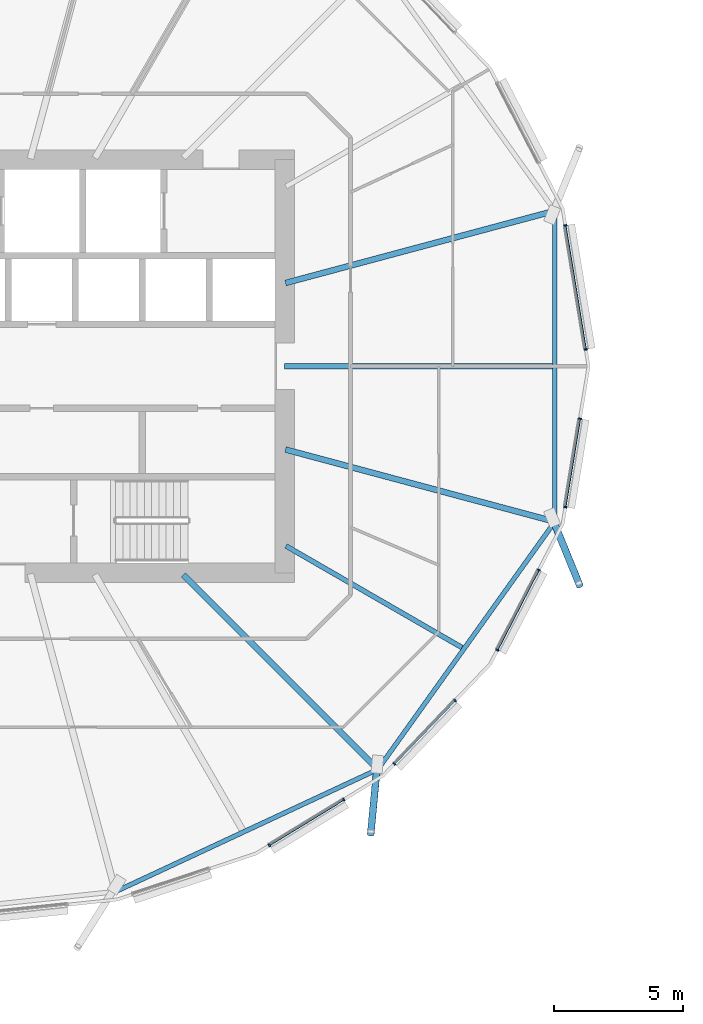
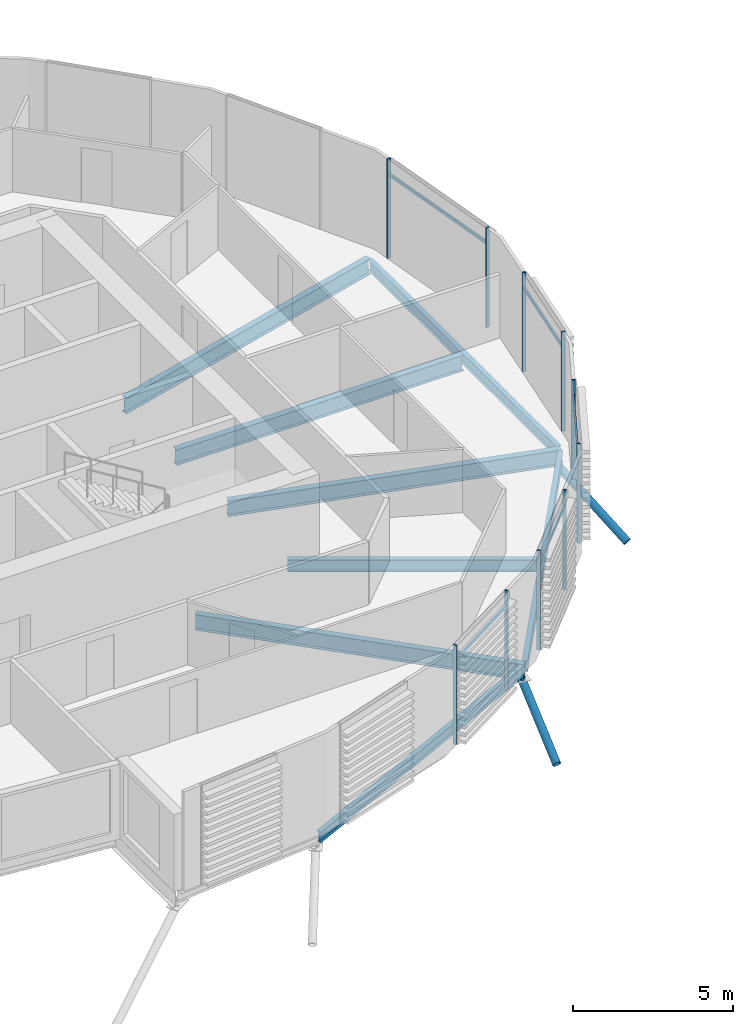
# One storey, part 7 of 40: 17 members, 8 beams, 1 element without a shape of its own.
"""IFC4 building model written with IfcOpenShell, lengths in metres."""

from ifc_helpers import new_model, si_unit, direction, frame, origin, origin_2d, place, context, subcontext, project, spatial, rectangle, hollow_circle, i_section, extrude, clip, halfspace, material, material_profile, profile_set, type_object, element, aggregate, save


model = new_model("IFC4")

# Units and contexts
model_context = context("Model", 3, precision=1e-05, world=origin(), true_north=direction((0.0, 1.0)))
body_context = subcontext(model_context, "Body", "Model", "MODEL_VIEW")
ifc_project = project(units=[si_unit("LENGTHUNIT", "METRE"), si_unit("AREAUNIT", "SQUARE_METRE"), si_unit("VOLUMEUNIT", "CUBIC_METRE"), si_unit("PLANEANGLEUNIT", "RADIAN"), si_unit("MASSUNIT", "GRAM", prefix="KILO")], contexts=[model_context])

# Site, building, storey
site_placement = place(None, origin())
site = spatial("IfcSite", under=ifc_project, at=site_placement, CompositionType="ELEMENT")
building_placement = place(site_placement, origin())
building = spatial("IfcBuilding", under=site, at=building_placement, Name="Rimbun Link Towers", CompositionType="ELEMENT")
storey_placement = place(building_placement, frame((0.0, 0.0, 89.199951171875)))
storey = spatial("IfcBuildingStorey", under=building, at=storey_placement, Name="L21", CompositionType="ELEMENT", Elevation=89.199951171875)

# Curtain wall, members
ifc_material_1 = material(Name="Aluminium 6063-T6 and low-iron glass", Category="aluminium")
curtain_wall_type = type_object("IfcCurtainWallType", Name="CW1-Z2 unitised vision wall (zone 2)", PredefinedType="NOTDEFINED", material=ifc_material_1)
curtain_wall_placement = place(storey_placement, origin())
curtain_wall = element("IfcCurtainWall", 1, at=curtain_wall_placement, inside=storey, type_object=curtain_wall_type, Name="CW1 L21 T1", PredefinedType="NOTDEFINED")
ifc_material_2 = material(Name="Aluminium 6063-T6", Category="aluminium")
ifc_material_profile_1 = material_profile(ifc_material_2, rectangle(XDim=0.1201171875, YDim=0.06005859375, at=origin_2d()), Name="MULLION 60X120")
ifc_profile_set_1 = profile_set([ifc_material_profile_1], Name="Aluminium 6063-T6")
member_type_1 = type_object("IfcMemberType", Name="CW1 mullion 60X120", PredefinedType="MULLION", material=ifc_profile_set_1)
member_1_placement = place(storey_placement, frame((-8.8798828125, 5.4521484375, 0.0), z_axis=(0.0, 0.0, 1.0), x_axis=(0.986748851509, 0.162255058613, 0.0)))
member_1 = element("IfcMember", 2, at=member_1_placement, type_object=member_type_1, Name="CW1 mullion", PredefinedType="MULLION", context=body_context, shape_type="SweptSolid", body=[
    extrude(rectangle(XDim=0.1201171875, YDim=0.06005859375, at=origin_2d()), origin(), (0.0, 0.0, 1.0), 3.800048828125),
])
member_2_placement = place(storey_placement, frame((-8.09033203125, 0.651123046875, 0.0), z_axis=(0.0, 0.0, 1.0), x_axis=(0.986748851509, 0.162255058613, 0.0)))
member_2 = element("IfcMember", 3, at=member_2_placement, type_object=member_type_1, Name="CW1 mullion", PredefinedType="MULLION", context=body_context, shape_type="SweptSolid", body=[
    extrude(rectangle(XDim=0.1201171875, YDim=0.06005859375, at=origin_2d()), origin(), (0.0, 0.0, 1.0), 3.800048828125),
])
member_3_placement = place(storey_placement, frame((-17.464111328125, -16.781494140625, 0.0), z_axis=(0.0, 0.0, 1.0), x_axis=(0.523237248968, -0.852187057689, 0.0)))
member_3 = element("IfcMember", 4, at=member_3_placement, type_object=member_type_1, Name="CW1 mullion", PredefinedType="MULLION", context=body_context, shape_type="SweptSolid", body=[
    extrude(rectangle(XDim=0.1201171875, YDim=0.06005859375, at=origin_2d()), origin(), (0.0, 0.0, 1.0), 3.800048828125),
])
member_4_placement = place(storey_placement, frame((-20.345458984375, -18.550537109375, 0.0), z_axis=(0.0, 0.0, 1.0), x_axis=(0.523237248968, -0.852187057689, 0.0)))
member_4 = element("IfcMember", 5, at=member_4_placement, type_object=member_type_1, Name="CW1 mullion", PredefinedType="MULLION", context=body_context, shape_type="SweptSolid", body=[
    extrude(rectangle(XDim=0.1201171875, YDim=0.06005859375, at=origin_2d()), origin(), (0.0, 0.0, 1.0), 3.800048828125),
])
member_5_placement = place(storey_placement, frame((-13.1494140625, -12.942138671875, 0.0), z_axis=(0.0, 0.0, 1.0), x_axis=(0.721839179549, -0.692060834658, 0.0)))
member_5 = element("IfcMember", 6, at=member_5_placement, type_object=member_type_1, Name="CW1 mullion", PredefinedType="MULLION", context=body_context, shape_type="SweptSolid", body=[
    extrude(rectangle(XDim=0.1201171875, YDim=0.06005859375, at=origin_2d()), origin(), (0.0, 0.0, 1.0), 3.800048828125),
])
member_6_placement = place(storey_placement, frame((-15.5029296875, -15.39697265625, 0.0), z_axis=(0.0, 0.0, 1.0), x_axis=(0.721839179549, -0.692060834658, 0.0)))
member_6 = element("IfcMember", 7, at=member_6_placement, type_object=member_type_1, Name="CW1 mullion", PredefinedType="MULLION", context=body_context, shape_type="SweptSolid", body=[
    extrude(rectangle(XDim=0.1201171875, YDim=0.06005859375, at=origin_2d()), origin(), (0.0, 0.0, 1.0), 3.800048828125),
])
member_7_placement = place(storey_placement, frame((-9.910400390625, -7.8876953125, 0.0), z_axis=(0.0, 0.0, 1.0), x_axis=(0.888154791602, -0.459544411514, 0.0)))
member_7 = element("IfcMember", 8, at=member_7_placement, type_object=member_type_1, Name="CW1 mullion", PredefinedType="MULLION", context=body_context, shape_type="SweptSolid", body=[
    extrude(rectangle(XDim=0.1201171875, YDim=0.06005859375, at=origin_2d()), origin(), (0.0, 0.0, 1.0), 3.800048828125),
])
member_8_placement = place(storey_placement, frame((-11.514404296875, -10.98779296875, 0.0), z_axis=(0.0, 0.0, 1.0), x_axis=(0.888154791602, -0.459544411514, 0.0)))
member_8 = element("IfcMember", 9, at=member_8_placement, type_object=member_type_1, Name="CW1 mullion", PredefinedType="MULLION", context=body_context, shape_type="SweptSolid", body=[
    extrude(rectangle(XDim=0.1201171875, YDim=0.06005859375, at=origin_2d()), origin(), (0.0, 0.0, 1.0), 3.800048828125),
])
member_9_placement = place(storey_placement, frame((-8.317626953125, -2.032470703125, 0.0), z_axis=(0.0, 0.0, 1.0), x_axis=(0.986748851509, -0.162255058613, 0.0)))
member_9 = element("IfcMember", 10, at=member_9_placement, type_object=member_type_1, Name="CW1 mullion", PredefinedType="MULLION", context=body_context, shape_type="SweptSolid", body=[
    extrude(rectangle(XDim=0.1201171875, YDim=0.06005859375, at=origin_2d()), origin(), (0.0, 0.0, 1.0), 3.800048828125),
])
member_10_placement = place(storey_placement, frame((-8.8798828125, -5.4521484375, 0.0), z_axis=(0.0, 0.0, 1.0), x_axis=(0.986748851509, -0.162255058613, 0.0)))
member_10 = element("IfcMember", 11, at=member_10_placement, type_object=member_type_1, Name="CW1 mullion", PredefinedType="MULLION", context=body_context, shape_type="SweptSolid", body=[
    extrude(rectangle(XDim=0.1201171875, YDim=0.06005859375, at=origin_2d()), origin(), (0.0, 0.0, 1.0), 3.800048828125),
])
ifc_material_3 = material(Name="Aluminium 6063-T6", Category="aluminium")
ifc_material_profile_2 = material_profile(ifc_material_3, rectangle(XDim=0.06005859375, YDim=0.1201171875, at=origin_2d()), Name="TRANSOM 60X120")
ifc_profile_set_2 = profile_set([ifc_material_profile_2], Name="Aluminium 6063-T6")
member_type_2 = type_object("IfcMemberType", Name="CW1 transom 60X120", PredefinedType="USERDEFINED", material=ifc_profile_set_2)
member_11_placement = place(storey_placement, frame((-8.876953125, 5.42236328125, 3.199951171875), z_axis=(0.162264875443, -0.986747237238, 0.0), x_axis=(0.986747237238, 0.162264875443, 0.0)))
member_11 = element("IfcMember", 12, at=member_11_placement, type_object=member_type_2, Name="CW1 transom", ObjectType="TRANSOM", PredefinedType="USERDEFINED", context=body_context, shape_type="SweptSolid", body=[
    extrude(rectangle(XDim=0.06005859375, YDim=0.1201171875, at=origin_2d()), origin(), (0.0, 0.0, 1.0), 4.8056640625),
])
member_12_placement = place(storey_placement, frame((-17.49072265625, -16.79541015625, 3.199951171875), z_axis=(-0.852167775137, -0.523268652814, 0.0), x_axis=(0.523268652814, -0.852167775137, 0.0)))
member_12 = element("IfcMember", 13, at=member_12_placement, type_object=member_type_2, Name="CW1 transom", ObjectType="TRANSOM", PredefinedType="USERDEFINED", context=body_context, shape_type="SweptSolid", body=[
    extrude(rectangle(XDim=0.06005859375, YDim=0.1201171875, at=origin_2d()), origin(), (0.0, 0.0, 1.0), 3.321044921875),
])
member_13_placement = place(storey_placement, frame((-13.171630859375, -12.96240234375, 3.199951171875), z_axis=(-0.692078357172, -0.721822379491, 0.0), x_axis=(0.721822379491, -0.692078357172, 0.0)))
member_13 = element("IfcMember", 14, at=member_13_placement, type_object=member_type_2, Name="CW1 transom", ObjectType="TRANSOM", PredefinedType="USERDEFINED", context=body_context, shape_type="SweptSolid", body=[
    extrude(rectangle(XDim=0.06005859375, YDim=0.1201171875, at=origin_2d()), origin(), (0.0, 0.0, 1.0), 3.340576171875),
])
member_14_placement = place(storey_placement, frame((-9.92578125, -7.91357421875, 3.199951171875), z_axis=(-0.459554574482, -0.888149533059, 0.0), x_axis=(0.888149533059, -0.459554574482, 0.0)))
member_14 = element("IfcMember", 15, at=member_14_placement, type_object=member_type_2, Name="CW1 transom", ObjectType="TRANSOM", PredefinedType="USERDEFINED", context=body_context, shape_type="SweptSolid", body=[
    extrude(rectangle(XDim=0.06005859375, YDim=0.1201171875, at=origin_2d()), origin(), (0.0, 0.0, 1.0), 3.430419921875),
])
member_15_placement = place(storey_placement, frame((-8.324462890625, -2.061767578125, 3.199951171875), z_axis=(-0.162224767288, -0.986753831955, 0.0), x_axis=(0.986753831955, -0.162224767288, 0.0)))
member_15 = element("IfcMember", 16, at=member_15_placement, type_object=member_type_2, Name="CW1 transom", ObjectType="TRANSOM", PredefinedType="USERDEFINED", context=body_context, shape_type="SweptSolid", body=[
    extrude(rectangle(XDim=0.06005859375, YDim=0.1201171875, at=origin_2d()), origin(), (0.0, 0.0, 1.0), 3.40576171875),
])
aggregate(curtain_wall, [member_1, member_2, member_3, member_4, member_5, member_6, member_7, member_8, member_9, member_10, member_11, member_12, member_13, member_14, member_15])

# Members
ifc_material_4 = material(Name="Steel S355J2H", Category="steel")
ifc_material_profile_3 = material_profile(ifc_material_4, hollow_circle(Radius=0.136474609375, WallThickness=0.012451171875, at=origin_2d()), Name="CHS 273x12.5")
ifc_profile_set_3 = profile_set([ifc_material_profile_3], Name="Steel S355J2H")
member_type_3 = type_object("IfcMemberType", Name="Floor edge link CHS 273x12.5", PredefinedType="BRACE", material=ifc_profile_set_3)
member_16_placement = place(storey_placement, frame((-16.1787109375, -15.5712890625, -0.879638671875), z_axis=(-0.081277343799, -0.855132698816, -0.511998106247), x_axis=(0.995513459543, -0.094620039462, 0.0)))
element("IfcMember", 17, at=member_16_placement, inside=storey, type_object=member_type_3, Name="Floor edge link T1 L21 21", PredefinedType="BRACE", context=body_context, shape_type="Clipping", body=[
    clip(extrude(hollow_circle(Radius=0.136474609375, WallThickness=0.012451171875, at=origin_2d()), frame((0.0, 0.0, -0.4775390625)), (0.0, 0.0, 1.0), 3.457275390625), halfspace(frame((0.0, 0.0, -0.224853515625), z_axis=(0.0, 0.858986576845, -0.511998106247)), False)),
])
member_17_placement = place(storey_placement, frame((-9.340087890625, -6.004638671875, -0.8779296875), z_axis=(0.319465655973, -0.782736801379, -0.534101857721), x_axis=(0.925855404281, 0.377877983434, 0.0)))
element("IfcMember", 18, at=member_17_placement, inside=storey, type_object=member_type_3, Name="Floor edge link T1 L21 23", PredefinedType="BRACE", context=body_context, shape_type="Clipping", body=[
    clip(extrude(hollow_circle(Radius=0.136474609375, WallThickness=0.012451171875, at=origin_2d()), frame((0.0, 0.0, -0.450927734375)), (0.0, 0.0, 1.0), 3.63916015625), halfspace(frame((0.0, 0.0, -0.212158203125), z_axis=(0.0, 0.845420135542, -0.534101857721)), False)),
])

# Beams
ifc_material_5 = material(Name="Steel S355J2", Category="steel")
ifc_material_profile_4 = material_profile(ifc_material_5, i_section(OverallWidth=0.177978515625, OverallDepth=0.406494140625, WebThickness=0.0078125, FlangeThickness=0.0126953125, at=origin_2d()), Name="UB 406x178x60")
ifc_profile_set_4 = profile_set([ifc_material_profile_4], Name="Steel S355J2")
beam_type_1 = type_object("IfcBeamType", Name="UB 406x178x60", PredefinedType="BEAM", material=ifc_profile_set_4)
beam_1_placement = place(storey_placement, frame((-26.298828125, -20.340087890625, -0.363037109375), z_axis=(0.906381707486, 0.422459702617, 0.0), x_axis=(-0.422459702617, 0.906381707486, 0.0)))
element("IfcBeam", 19, at=beam_1_placement, inside=storey, type_object=beam_type_1, Name="Edge beam T1 L21 19-21", PredefinedType="BEAM", context=body_context, shape_type="SweptSolid", body=[
    extrude(i_section(OverallWidth=0.177978515625, OverallDepth=0.406494140625, WebThickness=0.0078125, FlangeThickness=0.0126953125, at=origin_2d()), origin(), (0.0, 0.0, 1.0), 11.08251953125),
])
beam_2_placement = place(storey_placement, frame((-16.07568359375, -15.51220703125, -0.363037109375), z_axis=(0.581358194693, 0.813647742861, 0.0), x_axis=(-0.813647742861, 0.581358194693, 0.0)))
element("IfcBeam", 20, at=beam_2_placement, inside=storey, type_object=beam_type_1, Name="Edge beam T1 L21 21-23", PredefinedType="BEAM", context=body_context, shape_type="SweptSolid", body=[
    extrude(i_section(OverallWidth=0.177978515625, OverallDepth=0.406494140625, WebThickness=0.0078125, FlangeThickness=0.0126953125, at=origin_2d()), origin(), (0.0, 0.0, 1.0), 11.54638671875),
])
beam_3_placement = place(storey_placement, frame((-9.291748046875, -5.89892578125, -0.363037109375), z_axis=(0.0, 1.0, 0.0), x_axis=(-1.0, 0.0, 0.0)))
element("IfcBeam", 21, at=beam_3_placement, inside=storey, type_object=beam_type_1, Name="Edge beam T1 L21 23-01", PredefinedType="BEAM", context=body_context, shape_type="SweptSolid", body=[
    extrude(i_section(OverallWidth=0.177978515625, OverallDepth=0.406494140625, WebThickness=0.0078125, FlangeThickness=0.0126953125, at=origin_2d()), origin(), (0.0, 0.0, 1.0), 11.7978515625),
])
ifc_material_6 = material(Name="Steel S355J2", Category="steel")
ifc_material_profile_5 = material_profile(ifc_material_6, i_section(OverallWidth=0.18994140625, OverallDepth=0.453369140625, WebThickness=0.008544921875, FlangeThickness=0.0126953125, at=origin_2d()), Name="UB 457x191x67")
ifc_profile_set_5 = profile_set([ifc_material_profile_5], Name="Steel S355J2")
beam_type_2 = type_object("IfcBeamType", Name="UB 457x191x67", PredefinedType="BEAM", material=ifc_profile_set_5)
beam_4_placement = place(storey_placement, frame((-19.70166015625, -6.9560546875, -0.38671875), z_axis=(0.866014617025, -0.50001868275, 0.0), x_axis=(0.50001868275, 0.866014617025, 0.0)))
element("IfcBeam", 22, at=beam_4_placement, inside=storey, type_object=beam_type_2, Name="Radial beam T1 L21 22", PredefinedType="BEAM", context=body_context, shape_type="SweptSolid", body=[
    extrude(i_section(OverallWidth=0.18994140625, OverallDepth=0.453369140625, WebThickness=0.008544921875, FlangeThickness=0.0126953125, at=origin_2d()), origin(), (0.0, 0.0, 1.0), 7.871337890625),
])
ifc_material_7 = material(Name="Steel S355J2", Category="steel")
ifc_material_profile_6 = material_profile(ifc_material_7, i_section(OverallWidth=0.2275390625, OverallDepth=0.6025390625, WebThickness=0.010498046875, FlangeThickness=0.014892578125, at=origin_2d()), Name="UB 610x229x101")
ifc_profile_set_6 = profile_set([ifc_material_profile_6], Name="Steel S355J2")
beam_type_3 = type_object("IfcBeamType", Name="UB 610x229x101", PredefinedType="BEAM", material=ifc_profile_set_6)
beam_5_placement = place(storey_placement, frame((-19.7490234375, 0.0, -0.461181640625), z_axis=(1.0, 0.0, 0.0), x_axis=(0.0, 1.0, 0.0)))
element("IfcBeam", 23, at=beam_5_placement, inside=storey, type_object=beam_type_3, Name="Radial beam T1 L21 00", PredefinedType="BEAM", context=body_context, shape_type="SweptSolid", body=[
    extrude(i_section(OverallWidth=0.2275390625, OverallDepth=0.6025390625, WebThickness=0.010498046875, FlangeThickness=0.014892578125, at=origin_2d()), origin(), (0.0, 0.0, 1.0), 10.367431640625),
])
beam_6_placement = place(storey_placement, frame((-19.719482421875, 3.223388671875, -0.461181640625), z_axis=(0.965923824324, 0.258826516421, 0.0), x_axis=(-0.258826516421, 0.965923824324, 0.0)))
element("IfcBeam", 24, at=beam_6_placement, inside=storey, type_object=beam_type_3, Name="Radial beam T1 L21 01", PredefinedType="BEAM", context=body_context, shape_type="SweptSolid", body=[
    extrude(i_section(OverallWidth=0.2275390625, OverallDepth=0.6025390625, WebThickness=0.010498046875, FlangeThickness=0.014892578125, at=origin_2d()), origin(), (0.0, 0.0, 1.0), 10.795654296875),
])
beam_7_placement = place(storey_placement, frame((-23.668701171875, -8.081298828125, -0.461181640625), z_axis=(0.707106781187, -0.707106781187, 0.0), x_axis=(0.707106781187, 0.707106781187, 0.0)))
element("IfcBeam", 25, at=beam_7_placement, inside=storey, type_object=beam_type_3, Name="Radial beam T1 L21 21", PredefinedType="BEAM", context=body_context, shape_type="SweptSolid", body=[
    extrude(i_section(OverallWidth=0.2275390625, OverallDepth=0.6025390625, WebThickness=0.010498046875, FlangeThickness=0.014892578125, at=origin_2d()), origin(), (0.0, 0.0, 1.0), 10.642578125),
])
beam_8_placement = place(storey_placement, frame((-19.719482421875, -3.223388671875, -0.461181640625), z_axis=(0.965923824324, -0.258826516421, 0.0), x_axis=(0.258826516421, 0.965923824324, 0.0)))
element("IfcBeam", 26, at=beam_8_placement, inside=storey, type_object=beam_type_3, Name="Radial beam T1 L21 23", PredefinedType="BEAM", context=body_context, shape_type="SweptSolid", body=[
    extrude(i_section(OverallWidth=0.2275390625, OverallDepth=0.6025390625, WebThickness=0.010498046875, FlangeThickness=0.014892578125, at=origin_2d()), origin(), (0.0, 0.0, 1.0), 10.795654296875),
])

save(model, "model.ifc")
